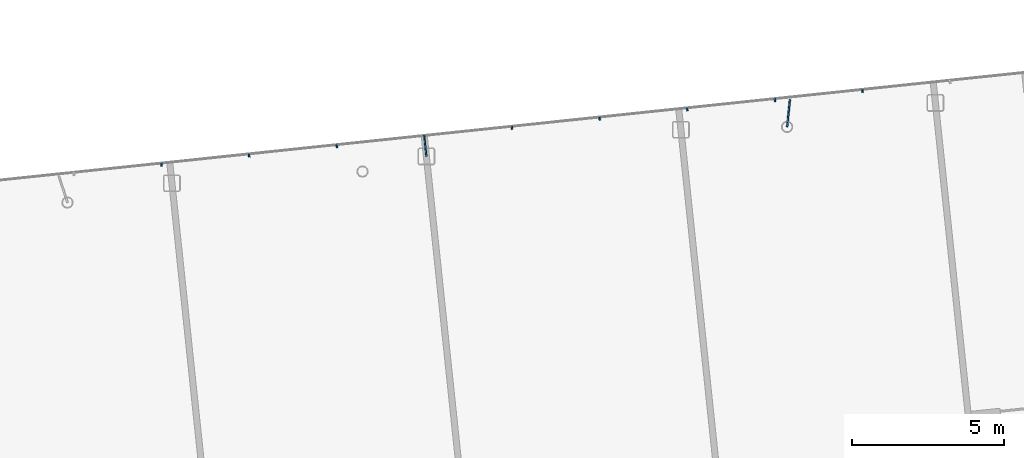
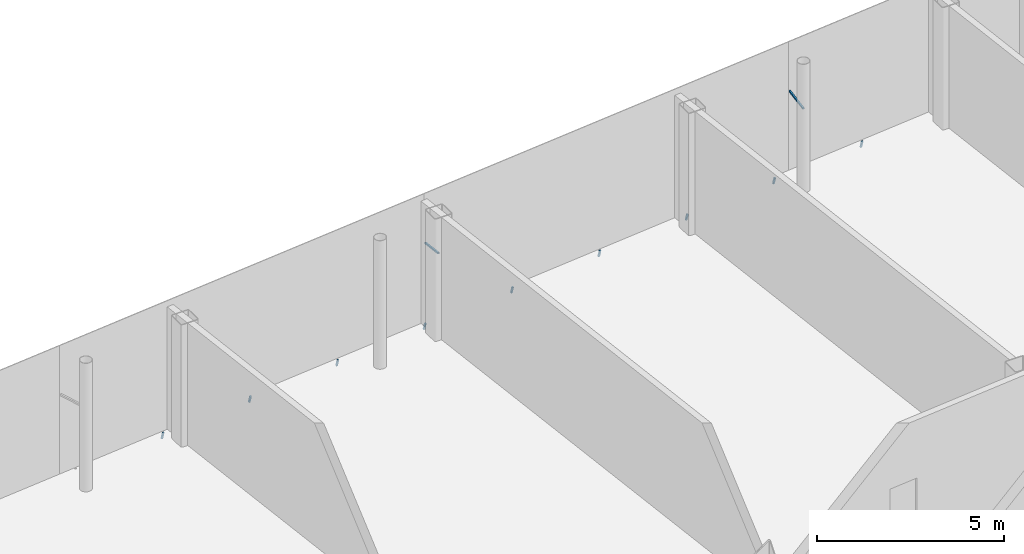
# One storey, part 22 of 28: 11 discrete accessories.
"""IFC4 building model written with IfcOpenShell, lengths in metres."""

from ifc_helpers import new_model, si_unit, direction, frame, origin, origin_2d, place, context, subcontext, project, spatial, rectangle, extrude, material, material_profile, profile_set, type_object, element, save


model = new_model("IFC4")

# Units and contexts
model_context = context("Model", 3, precision=1e-05, world=origin(), true_north=direction((0.0, 1.0)))
body_context = subcontext(model_context, "Body", "Model", "MODEL_VIEW")
ifc_project = project(units=[si_unit("LENGTHUNIT", "METRE"), si_unit("AREAUNIT", "SQUARE_METRE"), si_unit("VOLUMEUNIT", "CUBIC_METRE"), si_unit("PLANEANGLEUNIT", "RADIAN"), si_unit("MASSUNIT", "GRAM", prefix="KILO")], contexts=[model_context])

# Site, building, storey
site_placement = place(None, origin())
site = spatial("IfcSite", under=ifc_project, at=site_placement, CompositionType="ELEMENT")
building_placement = place(site_placement, origin())
building = spatial("IfcBuilding", under=site, at=building_placement, Name="Hakoniwa Tower and Hamabe Station Hall", CompositionType="ELEMENT")
storey_placement = place(building_placement, frame((0.0, 0.0, 280.800048828125)))
storey = spatial("IfcBuildingStorey", under=building, at=storey_placement, Name="L78", CompositionType="ELEMENT", Elevation=280.800048828125)

# Discrete accessories
ifc_material = material(Name="Stainless steel SUS304", Category="steel")
ifc_material_profile = material_profile(ifc_material, rectangle(XDim=0.050048828125, YDim=0.050048828125, at=origin_2d()), Name="CW-4 GLAZING BRACKET 50X50")
ifc_profile_set = profile_set([ifc_material_profile], Name="Stainless steel SUS304")
discrete_accessory_type = type_object("IfcDiscreteAccessoryType", Name="CW-4 GLAZING BRACKET 50X50", PredefinedType="BRACKET", material=ifc_profile_set)
discrete_accessory_1_placement = place(storey_placement, frame((-1.798828125, 19.61572265625, 2.63330078125), z_axis=(0.104455618622, -0.994529548952, 0.0), x_axis=(0.994529548952, 0.104455618622, 0.0)))
element("IfcDiscreteAccessory", 1, at=discrete_accessory_1_placement, inside=storey, type_object=discrete_accessory_type, Name="Glazing bracket", PredefinedType="BRACKET", context=body_context, shape_type="SweptSolid", body=[
    extrude(rectangle(XDim=0.050048828125, YDim=0.050048828125, at=origin_2d()), origin(), (0.0, 0.0, 1.0), 0.610107421875),
])
discrete_accessory_2_placement = place(storey_placement, frame((10.1982421875, 20.876708984375, 2.63330078125), z_axis=(-0.103249563607, -0.99465548187, 0.0), x_axis=(0.99465548187, -0.103249563607, 0.0)))
element("IfcDiscreteAccessory", 2, at=discrete_accessory_2_placement, inside=storey, type_object=discrete_accessory_type, Name="Glazing bracket", PredefinedType="BRACKET", context=body_context, shape_type="SweptSolid", body=[
    extrude(rectangle(XDim=0.050048828125, YDim=0.050048828125, at=origin_2d()), origin(), (0.0, 0.0, 1.0), 0.9033203125),
])
for number, where, z_axis, x_axis, name in (
    (3, (-10.42822265625, 18.708740234375, 0.0), (-0.026203593749, 0.255747074986, -0.966388537448), (-0.994792043555, -0.101925414299, 0.0), "Glazing bracket"),
    (4, (-7.5517578125, 19.010986328125, 0.0), (-0.027243657589, 0.256719081131, -0.966102011438), (-0.994416132921, -0.10552987533, 0.0), "Glazing bracket"),
    (5, (-4.67529296875, 19.3134765625, 0.0), (-0.027250974089, 0.255739910677, -0.966361465756), (-0.994370656274, -0.105957528947, 0.0), "Glazing bracket"),
    (6, (-1.799072265625, 19.61572265625, 0.0), (-0.026203593749, 0.255747074986, -0.966388537448), (-0.994792043555, -0.101925414299, 0.0), "Glazing bracket"),
    (7, (1.077392578125, 19.91796875, 0.0), (-0.027243657589, 0.256719081131, -0.966102011438), (-0.994416132921, -0.10552987533, 0.0), "Glazing bracket"),
    (8, (3.953857421875, 20.22021484375, 0.0), (-0.027243657589, 0.256719081131, -0.966102011438), (-0.994416132921, -0.10552987533, 0.0), "Glazing bracket"),
    (9, (6.830078125, 20.522705078125, 0.0), (-0.026203593749, 0.255747074986, -0.966388537448), (-0.994792043555, -0.101925414299, 0.0), "Glazing bracket"),
    (10, (9.70654296875, 20.824951171875, 0.0), (-0.027243657589, 0.256719081131, -0.966102011438), (-0.994416132921, -0.10552987533, 0.0), "Glazing bracket"),
    (11, (12.5830078125, 21.127197265625, 0.0), (-0.027243657589, 0.256719081131, -0.966102011438), (-0.994416132921, -0.10552987533, 0.0), "Glazing bracket"),
):
    element("IfcDiscreteAccessory", number, at=place(storey_placement, frame(where, z_axis=z_axis, x_axis=x_axis)), inside=storey, type_object=discrete_accessory_type, Name=name, PredefinedType="BRACKET", context=body_context, shape_type="SweptSolid", body=[
        extrude(rectangle(XDim=0.050048828125, YDim=0.050048828125, at=origin_2d()), origin(), (0.0, 0.0, 1.0), 0.23291015625),
    ])

save(model, "model.ifc")
